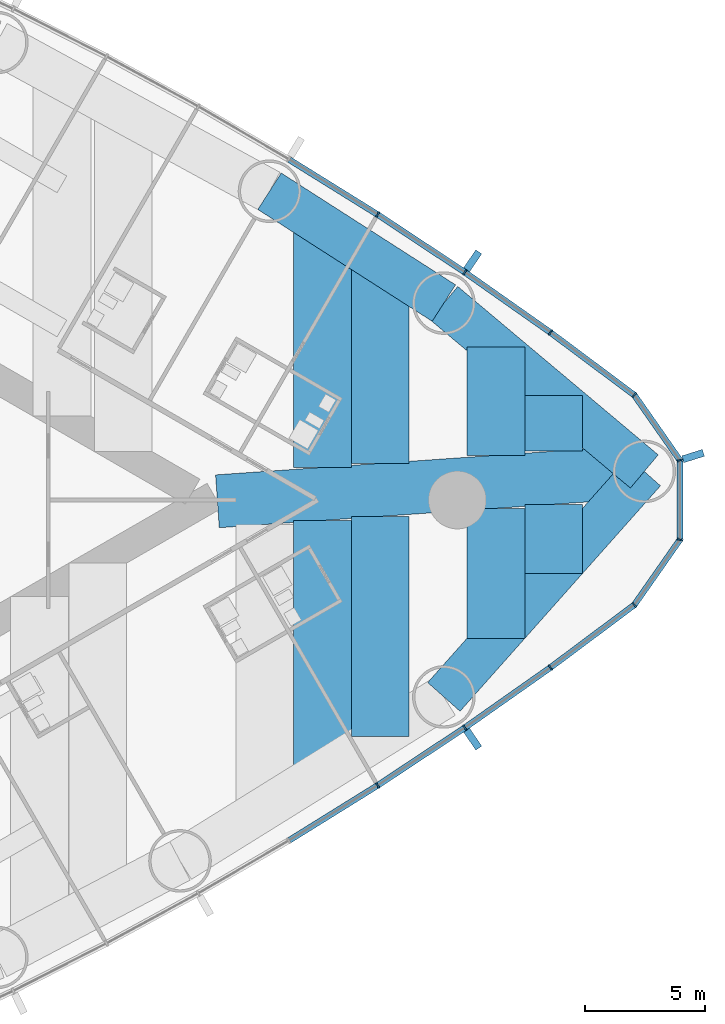
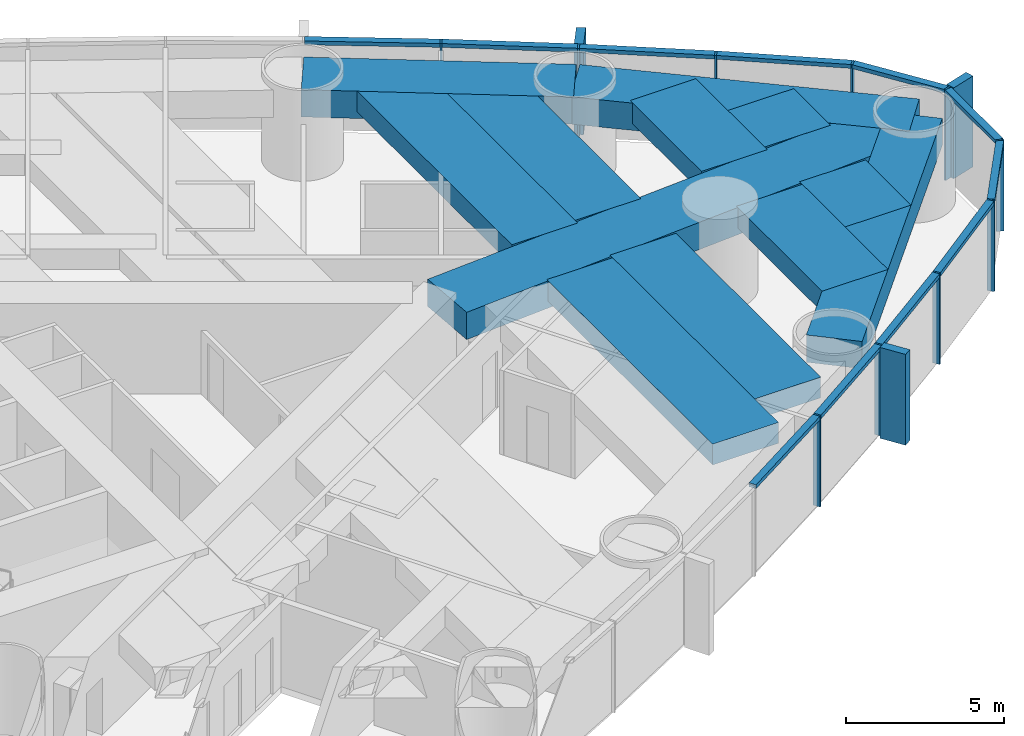
# One storey, part 8 of 18: 24 members, 12 beams, 1 element without a shape of its own.
"""IFC4 building model written with IfcOpenShell, lengths in metres."""

from ifc_helpers import new_model, si_unit, direction, frame, origin, origin_2d, place, context, subcontext, project, spatial, rectangle, extrude, material, material_profile, profile_set, type_object, element, aggregate, save


model = new_model("IFC4")

# Units and contexts
model_context = context("Model", 3, precision=1e-05, world=origin(), true_north=direction((0.0, 1.0)))
body_context = subcontext(model_context, "Body", "Model", "MODEL_VIEW")
ifc_project = project(units=[si_unit("LENGTHUNIT", "METRE"), si_unit("AREAUNIT", "SQUARE_METRE"), si_unit("VOLUMEUNIT", "CUBIC_METRE"), si_unit("PLANEANGLEUNIT", "RADIAN"), si_unit("MASSUNIT", "GRAM", prefix="KILO")], contexts=[model_context])

# Site, building, storey
site_placement = place(None, origin())
site = spatial("IfcSite", under=ifc_project, at=site_placement, CompositionType="ELEMENT")
building_placement = place(site_placement, origin())
building = spatial("IfcBuilding", under=site, at=building_placement, Name="Lancet Gate Hotel", CompositionType="ELEMENT")
storey_placement = place(building_placement, frame((0.0, 0.0, 118.60009765625)))
storey = spatial("IfcBuildingStorey", under=building, at=storey_placement, Name="L31", CompositionType="ELEMENT", Elevation=118.60009765625)

# Curtain wall, members
ifc_material_1 = material(Name="Aluminium curtain wall", Category="aluminium")
curtain_wall_type = type_object("IfcCurtainWallType", Name="Tower unitised curtain wall", PredefinedType="USERDEFINED", material=ifc_material_1)
curtain_wall_placement = place(storey_placement, origin())
curtain_wall = element("IfcCurtainWall", 1, at=curtain_wall_placement, inside=storey, type_object=curtain_wall_type, Name="T2 L31 curtain wall 1", ObjectType="UNITISED CURTAIN WALL", PredefinedType="USERDEFINED")
ifc_material_2 = material(Name="Aluminium mullion", Category="aluminium")
ifc_material_profile_1 = material_profile(ifc_material_2, rectangle(XDim=0.06494140625, YDim=0.25, at=origin_2d()), Name="MULLION 65x250")
ifc_profile_set_1 = profile_set([ifc_material_profile_1], Name="Aluminium mullion")
member_type_1 = type_object("IfcMemberType", Name="Aluminium mullion 65x250", PredefinedType="MULLION", material=ifc_profile_set_1)
member_1_placement = place(storey_placement, frame((58.188720703125, -11.8603515625, 0.0), z_axis=(0.0, 0.0, 1.0), x_axis=(0.841736224144, 0.539888996891, 0.0)))
member_1 = element("IfcMember", 2, at=member_1_placement, type_object=member_type_1, Name="T2 L31 curtain wall 1 mullion 13", PredefinedType="MULLION", context=body_context, shape_type="SweptSolid", body=[
    extrude(rectangle(XDim=0.06494140625, YDim=0.25, at=origin_2d()), origin(), (0.0, 0.0, 1.0), 3.5),
])
member_2_placement = place(storey_placement, frame((61.814208984375, -9.461669921875, 0.0), z_axis=(0.0, 0.0, 1.0), x_axis=(0.826065510491, 0.563574105489, 0.0)))
member_2 = element("IfcMember", 3, at=member_2_placement, type_object=member_type_1, Name="T2 L31 curtain wall 1 mullion 14", PredefinedType="MULLION", context=body_context, shape_type="SweptSolid", body=[
    extrude(rectangle(XDim=0.06494140625, YDim=0.25, at=origin_2d()), origin(), (0.0, 0.0, 1.0), 3.5),
])
member_3_placement = place(storey_placement, frame((65.370361328125, -6.9609375, 0.0), z_axis=(0.0, 0.0, 1.0), x_axis=(0.809728529035, 0.586804660229, 0.0)))
member_3 = element("IfcMember", 4, at=member_3_placement, type_object=member_type_1, Name="T2 L31 curtain wall 1 mullion 15", PredefinedType="MULLION", context=body_context, shape_type="SweptSolid", body=[
    extrude(rectangle(XDim=0.06494140625, YDim=0.25, at=origin_2d()), origin(), (0.0, 0.0, 1.0), 3.5),
])
member_4_placement = place(storey_placement, frame((68.853759765625, -4.360107421875, 0.0), z_axis=(0.0, 0.0, 1.0), x_axis=(0.711610374907, 0.702574319432, 0.0)))
member_4 = element("IfcMember", 5, at=member_4_placement, type_object=member_type_1, Name="T2 L31 curtain wall 1 mullion 16", PredefinedType="MULLION", context=body_context, shape_type="SweptSolid", body=[
    extrude(rectangle(XDim=0.06494140625, YDim=0.25, at=origin_2d()), origin(), (0.0, 0.0, 1.0), 3.5),
])
member_5_placement = place(storey_placement, frame((70.747314453125, -1.652099609375, 0.0), z_axis=(0.0, 0.0, 1.0), x_axis=(0.300384890639, 0.953818073574, 0.0)))
member_5 = element("IfcMember", 6, at=member_5_placement, type_object=member_type_1, Name="T2 L31 curtain wall 1 mullion 17", PredefinedType="MULLION", context=body_context, shape_type="SweptSolid", body=[
    extrude(rectangle(XDim=0.06494140625, YDim=0.25, at=origin_2d()), origin(), (0.0, 0.0, 1.0), 3.5),
])
member_6_placement = place(storey_placement, frame((70.747314453125, 1.652099609375, 0.0), z_axis=(0.0, 0.0, 1.0), x_axis=(-0.300384890639, 0.953818073574, 0.0)))
member_6 = element("IfcMember", 7, at=member_6_placement, type_object=member_type_1, Name="T2 L31 curtain wall 1 mullion 18", PredefinedType="MULLION", context=body_context, shape_type="SweptSolid", body=[
    extrude(rectangle(XDim=0.06494140625, YDim=0.25, at=origin_2d()), origin(), (0.0, 0.0, 1.0), 3.5),
])
member_7_placement = place(storey_placement, frame((68.853759765625, 4.360107421875, 0.0), z_axis=(0.0, 0.0, 1.0), x_axis=(-0.711610374907, 0.702574319432, 0.0)))
member_7 = element("IfcMember", 8, at=member_7_placement, type_object=member_type_1, Name="T2 L31 curtain wall 1 mullion 19", PredefinedType="MULLION", context=body_context, shape_type="SweptSolid", body=[
    extrude(rectangle(XDim=0.06494140625, YDim=0.25, at=origin_2d()), origin(), (0.0, 0.0, 1.0), 3.5),
])
member_8_placement = place(storey_placement, frame((65.370361328125, 6.9609375, 0.0), z_axis=(0.0, 0.0, 1.0), x_axis=(-0.809728529035, 0.586804660229, 0.0)))
member_8 = element("IfcMember", 9, at=member_8_placement, type_object=member_type_1, Name="T2 L31 curtain wall 1 mullion 20", PredefinedType="MULLION", context=body_context, shape_type="SweptSolid", body=[
    extrude(rectangle(XDim=0.06494140625, YDim=0.25, at=origin_2d()), origin(), (0.0, 0.0, 1.0), 3.5),
])
member_9_placement = place(storey_placement, frame((61.814208984375, 9.461669921875, 0.0), z_axis=(0.0, 0.0, 1.0), x_axis=(-0.826065510491, 0.563574105489, 0.0)))
member_9 = element("IfcMember", 10, at=member_9_placement, type_object=member_type_1, Name="T2 L31 curtain wall 1 mullion 21", PredefinedType="MULLION", context=body_context, shape_type="SweptSolid", body=[
    extrude(rectangle(XDim=0.06494140625, YDim=0.25, at=origin_2d()), origin(), (0.0, 0.0, 1.0), 3.5),
])
member_10_placement = place(storey_placement, frame((58.188720703125, 11.8603515625, 0.0), z_axis=(0.0, 0.0, 1.0), x_axis=(-0.841736224144, 0.539888996891, 0.0)))
member_10 = element("IfcMember", 11, at=member_10_placement, type_object=member_type_1, Name="T2 L31 curtain wall 1 mullion 22", PredefinedType="MULLION", context=body_context, shape_type="SweptSolid", body=[
    extrude(rectangle(XDim=0.06494140625, YDim=0.25, at=origin_2d()), origin(), (0.0, 0.0, 1.0), 3.5),
])
ifc_material_3 = material(Name="Aluminium transom", Category="aluminium")
ifc_material_profile_2 = material_profile(ifc_material_3, rectangle(XDim=0.25, YDim=0.14990234375, at=origin_2d()), Name="TRANSOM 250x150")
ifc_profile_set_2 = profile_set([ifc_material_profile_2], Name="Aluminium transom")
member_type_2 = type_object("IfcMemberType", Name="Aluminium transom 250x150", PredefinedType="USERDEFINED", material=ifc_profile_set_2)
member_11_placement = place(storey_placement, frame((54.52392578125, -14.13818359375, 3.4248046875), z_axis=(0.849308812566, 0.527896335371, 0.0), x_axis=(-0.527896335371, 0.849308812566, 0.0)))
member_11 = element("IfcMember", 12, at=member_11_placement, type_object=member_type_2, Name="T2 L31 curtain wall 1 transom 12", ObjectType="TRANSOM", PredefinedType="USERDEFINED", context=body_context, shape_type="SweptSolid", body=[
    extrude(rectangle(XDim=0.25, YDim=0.14990234375, at=origin_2d()), origin(), (0.0, 0.0, 1.0), 4.282470703125),
])
member_12_placement = place(storey_placement, frame((58.2158203125, -11.842529296875, 3.4248046875), z_axis=(0.833966159038, 0.551815590192, 0.0), x_axis=(-0.551815590192, 0.833966159038, 0.0)))
member_12 = element("IfcMember", 13, at=member_12_placement, type_object=member_type_2, Name="T2 L31 curtain wall 1 transom 13", ObjectType="TRANSOM", PredefinedType="USERDEFINED", context=body_context, shape_type="SweptSolid", body=[
    extrude(rectangle(XDim=0.25, YDim=0.14990234375, at=origin_2d()), origin(), (0.0, 0.0, 1.0), 4.2822265625),
])
member_13_placement = place(storey_placement, frame((61.8408203125, -9.44287109375, 3.4248046875), z_axis=(0.817987243547, 0.57523635959, 0.0), x_axis=(-0.57523635959, 0.817987243547, 0.0)))
member_13 = element("IfcMember", 14, at=member_13_placement, type_object=member_type_2, Name="T2 L31 curtain wall 1 transom 14", ObjectType="TRANSOM", PredefinedType="USERDEFINED", context=body_context, shape_type="SweptSolid", body=[
    extrude(rectangle(XDim=0.25, YDim=0.14990234375, at=origin_2d()), origin(), (0.0, 0.0, 1.0), 4.282470703125),
])
member_14_placement = place(storey_placement, frame((65.396240234375, -6.94140625, 3.4248046875), z_axis=(0.801311559064, 0.598247261014, 0.0), x_axis=(-0.598247261014, 0.801311559064, 0.0)))
member_14 = element("IfcMember", 15, at=member_14_placement, type_object=member_type_2, Name="T2 L31 curtain wall 1 transom 15", ObjectType="TRANSOM", PredefinedType="USERDEFINED", context=body_context, shape_type="SweptSolid", body=[
    extrude(rectangle(XDim=0.25, YDim=0.14990234375, at=origin_2d()), origin(), (0.0, 0.0, 1.0), 4.282470703125),
])
member_15_placement = place(storey_placement, frame((68.87255859375, -4.33349609375, 3.4248046875), z_axis=(0.573017137751, 0.819543384967, 0.0), x_axis=(-0.819543384967, 0.573017137751, 0.0)))
member_15 = element("IfcMember", 16, at=member_15_placement, type_object=member_type_2, Name="T2 L31 curtain wall 1 transom 16", ObjectType="TRANSOM", PredefinedType="USERDEFINED", context=body_context, shape_type="SweptSolid", body=[
    extrude(rectangle(XDim=0.25, YDim=0.14990234375, at=origin_2d()), origin(), (0.0, 0.0, 1.0), 3.2392578125),
])
member_16_placement = place(storey_placement, frame((70.747314453125, -1.61962890625, 3.4248046875), z_axis=(0.0, 1.0, 0.0), x_axis=(-1.0, 0.0, 0.0)))
member_16 = element("IfcMember", 17, at=member_16_placement, type_object=member_type_2, Name="T2 L31 curtain wall 1 transom 17", ObjectType="TRANSOM", PredefinedType="USERDEFINED", context=body_context, shape_type="SweptSolid", body=[
    extrude(rectangle(XDim=0.25, YDim=0.14990234375, at=origin_2d()), origin(), (0.0, 0.0, 1.0), 3.2392578125),
])
member_17_placement = place(storey_placement, frame((70.728759765625, 1.6787109375, 3.4248046875), z_axis=(-0.573017137751, 0.819543384967, 0.0), x_axis=(-0.819543384967, -0.573017137751, 0.0)))
member_17 = element("IfcMember", 18, at=member_17_placement, type_object=member_type_2, Name="T2 L31 curtain wall 1 transom 18", ObjectType="TRANSOM", PredefinedType="USERDEFINED", context=body_context, shape_type="SweptSolid", body=[
    extrude(rectangle(XDim=0.25, YDim=0.14990234375, at=origin_2d()), origin(), (0.0, 0.0, 1.0), 3.2392578125),
])
member_18_placement = place(storey_placement, frame((68.827880859375, 4.37939453125, 3.4248046875), z_axis=(-0.801311559064, 0.598247261014, 0.0), x_axis=(-0.598247261014, -0.801311559064, 0.0)))
member_18 = element("IfcMember", 19, at=member_18_placement, type_object=member_type_2, Name="T2 L31 curtain wall 1 transom 19", ObjectType="TRANSOM", PredefinedType="USERDEFINED", context=body_context, shape_type="SweptSolid", body=[
    extrude(rectangle(XDim=0.25, YDim=0.14990234375, at=origin_2d()), origin(), (0.0, 0.0, 1.0), 4.282470703125),
])
member_19_placement = place(storey_placement, frame((65.34375, 6.9794921875, 3.4248046875), z_axis=(-0.817987243547, 0.57523635959, 0.0), x_axis=(-0.57523635959, -0.817987243547, 0.0)))
member_19 = element("IfcMember", 20, at=member_19_placement, type_object=member_type_2, Name="T2 L31 curtain wall 1 transom 20", ObjectType="TRANSOM", PredefinedType="USERDEFINED", context=body_context, shape_type="SweptSolid", body=[
    extrude(rectangle(XDim=0.25, YDim=0.14990234375, at=origin_2d()), origin(), (0.0, 0.0, 1.0), 4.282470703125),
])
member_20_placement = place(storey_placement, frame((61.787109375, 9.4794921875, 3.4248046875), z_axis=(-0.833966159038, 0.551815590192, 0.0), x_axis=(-0.551815590192, -0.833966159038, 0.0)))
member_20 = element("IfcMember", 21, at=member_20_placement, type_object=member_type_2, Name="T2 L31 curtain wall 1 transom 21", ObjectType="TRANSOM", PredefinedType="USERDEFINED", context=body_context, shape_type="SweptSolid", body=[
    extrude(rectangle(XDim=0.25, YDim=0.14990234375, at=origin_2d()), origin(), (0.0, 0.0, 1.0), 4.2822265625),
])
member_21_placement = place(storey_placement, frame((58.1611328125, 11.87744140625, 3.4248046875), z_axis=(-0.849308812566, 0.527896335371, 0.0), x_axis=(-0.527896335371, -0.849308812566, 0.0)))
member_21 = element("IfcMember", 22, at=member_21_placement, type_object=member_type_2, Name="T2 L31 curtain wall 1 transom 22", ObjectType="TRANSOM", PredefinedType="USERDEFINED", context=body_context, shape_type="SweptSolid", body=[
    extrude(rectangle(XDim=0.25, YDim=0.14990234375, at=origin_2d()), origin(), (0.0, 0.0, 1.0), 4.282470703125),
])

# Beams
ifc_material_4 = material(Name="Concrete C50/60", Category="concrete")
ifc_material_profile_3 = material_profile(ifc_material_4, rectangle(XDim=1.800048828125, YDim=1.050048828125, at=origin_2d()), Name="RC 1800x1050")
ifc_profile_set_3 = profile_set([ifc_material_profile_3], Name="Concrete C50/60")
beam_type_1 = type_object("IfcBeamType", Name="Edge beam RC 1800x1050", PredefinedType="SPANDREL", material=ifc_profile_set_3)
beam_1_placement = place(storey_placement, frame((60.940673828125, -8.18115234375, 2.724853515625), z_axis=(0.664421866815, 0.74735773422, 0.0), x_axis=(-0.74735773422, 0.664421866815, 0.0)))
element("IfcBeam", 23, at=beam_1_placement, inside=storey, type_object=beam_type_1, Name="T2 edge beam EB1 L31", PredefinedType="SPANDREL", context=body_context, shape_type="SweptSolid", body=[
    extrude(rectangle(XDim=1.800048828125, YDim=1.050048828125, at=origin_2d()), origin(), (0.0, 0.0, 1.0), 12.534423828125),
])
beam_2_placement = place(storey_placement, frame((69.268798828125, 1.1865234375, 2.724853515625), z_axis=(-0.765749969712, 0.643138386264, 0.0), x_axis=(-0.643138386264, -0.765749969712, 0.0)))
element("IfcBeam", 24, at=beam_2_placement, inside=storey, type_object=beam_type_1, Name="T2 edge beam EB1 L31", PredefinedType="SPANDREL", context=body_context, shape_type="SweptSolid", body=[
    extrude(rectangle(XDim=1.800048828125, YDim=1.050048828125, at=origin_2d()), origin(), (0.0, 0.0, 1.0), 10.875732421875),
])
beam_3_placement = place(storey_placement, frame((60.940673828125, 8.18115234375, 2.724853515625), z_axis=(-0.841727408736, 0.539902740669, 0.0), x_axis=(-0.539902740669, -0.841727408736, 0.0)))
element("IfcBeam", 25, at=beam_3_placement, inside=storey, type_object=beam_type_1, Name="T2 edge beam EB1 L31", PredefinedType="SPANDREL", context=body_context, shape_type="SweptSolid", body=[
    extrude(rectangle(XDim=1.800048828125, YDim=1.050048828125, at=origin_2d()), origin(), (0.0, 0.0, 1.0), 8.605712890625),
])

# Member
ifc_material_5 = material(Name="Precast concrete C50/60", Category="concrete")
ifc_material_profile_4 = material_profile(ifc_material_5, rectangle(XDim=0.300048828125, YDim=0.89990234375, at=origin_2d()), Name="FIN 300x900")
ifc_profile_set_4 = profile_set([ifc_material_profile_4], Name="Precast concrete C50/60")
member_type_3 = type_object("IfcMemberType", Name="Exposed concrete fin 300x900", PredefinedType="USERDEFINED", material=ifc_profile_set_4)
member_22_placement = place(storey_placement, frame((62.138427734375, -9.9365234375, 0.0), z_axis=(0.0, 0.0, 1.0), x_axis=(0.826065510491, 0.563574105489, 0.0)))
member_22 = element("IfcMember", 26, at=member_22_placement, type_object=member_type_3, Name="T2 L31 curtain wall 1 fin 14", ObjectType="FIN", PredefinedType="USERDEFINED", context=body_context, shape_type="SweptSolid", body=[
    extrude(rectangle(XDim=0.300048828125, YDim=0.89990234375, at=origin_2d()), origin(), (0.0, 0.0, 1.0), 3.5),
])

member_23_placement = place(storey_placement, frame((71.295654296875, 1.824951171875, 0.0), z_axis=(0.0, 0.0, 1.0), x_axis=(-0.300384890639, 0.953818073574, 0.0)))
member_23 = element("IfcMember", 27, at=member_23_placement, type_object=member_type_3, Name="T2 L31 curtain wall 1 fin 18", ObjectType="FIN", PredefinedType="USERDEFINED", context=body_context, shape_type="SweptSolid", body=[
    extrude(rectangle(XDim=0.300048828125, YDim=0.89990234375, at=origin_2d()), origin(), (0.0, 0.0, 1.0), 3.5),
])

member_24_placement = place(storey_placement, frame((62.138427734375, 9.9365234375, 0.0), z_axis=(0.0, 0.0, 1.0), x_axis=(-0.826065510491, 0.563574105489, 0.0)))
member_24 = element("IfcMember", 28, at=member_24_placement, type_object=member_type_3, Name="T2 L31 curtain wall 1 fin 21", ObjectType="FIN", PredefinedType="USERDEFINED", context=body_context, shape_type="SweptSolid", body=[
    extrude(rectangle(XDim=0.300048828125, YDim=0.89990234375, at=origin_2d()), origin(), (0.0, 0.0, 1.0), 3.5),
])

aggregate(curtain_wall, [member_1, member_2, member_22, member_3, member_4, member_5, member_6, member_23, member_7, member_8, member_9, member_24, member_10, member_11, member_12, member_13, member_14, member_15, member_16, member_17, member_18, member_19, member_20, member_21])

# Beams
ifc_material_6 = material(Name="Concrete C50/60", Category="concrete")
ifc_material_profile_5 = material_profile(ifc_material_6, rectangle(XDim=2.39990234375, YDim=0.800048828125, at=origin_2d()), Name="RC 2400x800")
ifc_profile_set_5 = profile_set([ifc_material_profile_5], Name="Concrete C50/60")
beam_type_2 = type_object("IfcBeamType", Name="Floor beam RC 2400x800", PredefinedType="BEAM", material=ifc_profile_set_5)
beam_4_placement = place(storey_placement, frame((55.90234375, -11.312744140625, 2.849853515625), z_axis=(0.0, 1.0, 0.0), x_axis=(-1.0, 0.0, 0.0)))
element("IfcBeam", 29, at=beam_4_placement, inside=storey, type_object=beam_type_2, Name="T2 floor beam F14S L31", PredefinedType="BEAM", context=body_context, shape_type="SweptSolid", body=[
    extrude(rectangle(XDim=2.39990234375, YDim=0.800048828125, at=origin_2d()), origin(), (0.0, 0.0, 1.0), 10.4619140625),
])
beam_5_placement = place(storey_placement, frame((55.90234375, 1.3544921875, 2.849853515625), z_axis=(0.0, 1.0, 0.0), x_axis=(-1.0, 0.0, 0.0)))
element("IfcBeam", 30, at=beam_5_placement, inside=storey, type_object=beam_type_2, Name="T2 floor beam F15N L31", PredefinedType="BEAM", context=body_context, shape_type="SweptSolid", body=[
    extrude(rectangle(XDim=2.39990234375, YDim=0.800048828125, at=origin_2d()), origin(), (0.0, 0.0, 1.0), 10.058349609375),
])
beam_6_placement = place(storey_placement, frame((58.30224609375, -9.821044921875, 2.849853515625), z_axis=(0.0, 1.0, 0.0), x_axis=(-1.0, 0.0, 0.0)))
element("IfcBeam", 31, at=beam_6_placement, inside=storey, type_object=beam_type_2, Name="T2 floor beam F16S L31", PredefinedType="BEAM", context=body_context, shape_type="SweptSolid", body=[
    extrude(rectangle(XDim=2.39990234375, YDim=0.800048828125, at=origin_2d()), origin(), (0.0, 0.0, 1.0), 9.137939453125),
])
beam_7_placement = place(storey_placement, frame((58.30224609375, 1.522216796875, 2.849853515625), z_axis=(0.0, 1.0, 0.0), x_axis=(-1.0, 0.0, 0.0)))
element("IfcBeam", 32, at=beam_7_placement, inside=storey, type_object=beam_type_2, Name="T2 floor beam F17N L31", PredefinedType="BEAM", context=body_context, shape_type="SweptSolid", body=[
    extrude(rectangle(XDim=2.39990234375, YDim=0.800048828125, at=origin_2d()), origin(), (0.0, 0.0, 1.0), 8.351318359375),
])
beam_8_placement = place(storey_placement, frame((63.102294921875, -5.75, 2.849853515625), z_axis=(0.0, 1.0, 0.0), x_axis=(-1.0, 0.0, 0.0)))
element("IfcBeam", 33, at=beam_8_placement, inside=storey, type_object=beam_type_2, Name="T2 floor beam F18S L31", PredefinedType="BEAM", context=body_context, shape_type="SweptSolid", body=[
    extrude(rectangle(XDim=2.39990234375, YDim=0.800048828125, at=origin_2d()), origin(), (0.0, 0.0, 1.0), 5.402587890625),
])
beam_9_placement = place(storey_placement, frame((63.102294921875, 1.85791015625, 2.849853515625), z_axis=(0.0, 1.0, 0.0), x_axis=(-1.0, 0.0, 0.0)))
element("IfcBeam", 34, at=beam_9_placement, inside=storey, type_object=beam_type_2, Name="T2 floor beam F19N L31", PredefinedType="BEAM", context=body_context, shape_type="SweptSolid", body=[
    extrude(rectangle(XDim=2.39990234375, YDim=0.800048828125, at=origin_2d()), origin(), (0.0, 0.0, 1.0), 4.5078125),
])
beam_10_placement = place(storey_placement, frame((65.502197265625, -3.05029296875, 2.849853515625), z_axis=(0.0, 1.0, 0.0), x_axis=(-1.0, 0.0, 0.0)))
element("IfcBeam", 35, at=beam_10_placement, inside=storey, type_object=beam_type_2, Name="T2 floor beam F20S L31", PredefinedType="BEAM", context=body_context, shape_type="SweptSolid", body=[
    extrude(rectangle(XDim=2.39990234375, YDim=0.800048828125, at=origin_2d()), origin(), (0.0, 0.0, 1.0), 2.87060546875),
])
beam_11_placement = place(storey_placement, frame((65.502197265625, 2.02587890625, 2.849853515625), z_axis=(0.0, 1.0, 0.0), x_axis=(-1.0, 0.0, 0.0)))
element("IfcBeam", 36, at=beam_11_placement, inside=storey, type_object=beam_type_2, Name="T2 floor beam F21N L31", PredefinedType="BEAM", context=body_context, shape_type="SweptSolid", body=[
    extrude(rectangle(XDim=2.39990234375, YDim=0.800048828125, at=origin_2d()), origin(), (0.0, 0.0, 1.0), 2.32421875),
])
ifc_material_7 = material(Name="Concrete C50/60", Category="concrete")
ifc_material_profile_6 = material_profile(ifc_material_7, rectangle(XDim=2.199951171875, YDim=1.050048828125, at=origin_2d()), Name="RC 2200x1050")
ifc_profile_set_6 = profile_set([ifc_material_profile_6], Name="Concrete C50/60")
beam_type_3 = type_object("IfcBeamType", Name="Radial floor beam RC 2200x1050", PredefinedType="BEAM", material=ifc_profile_set_6)
beam_12_placement = place(storey_placement, frame((69.268798828125, 1.1865234375, 2.724853515625), z_axis=(-0.99756389092, -0.069758752369, 0.0), x_axis=(0.069758752369, -0.99756389092, 0.0)))
element("IfcBeam", 37, at=beam_12_placement, inside=storey, type_object=beam_type_3, Name="T2 radial beam CA L31", PredefinedType="BEAM", context=body_context, shape_type="SweptSolid", body=[
    extrude(rectangle(XDim=2.199951171875, YDim=1.050048828125, at=origin_2d()), origin(), (0.0, 0.0, 1.0), 17.77880859375),
])

save(model, "model.ifc")
